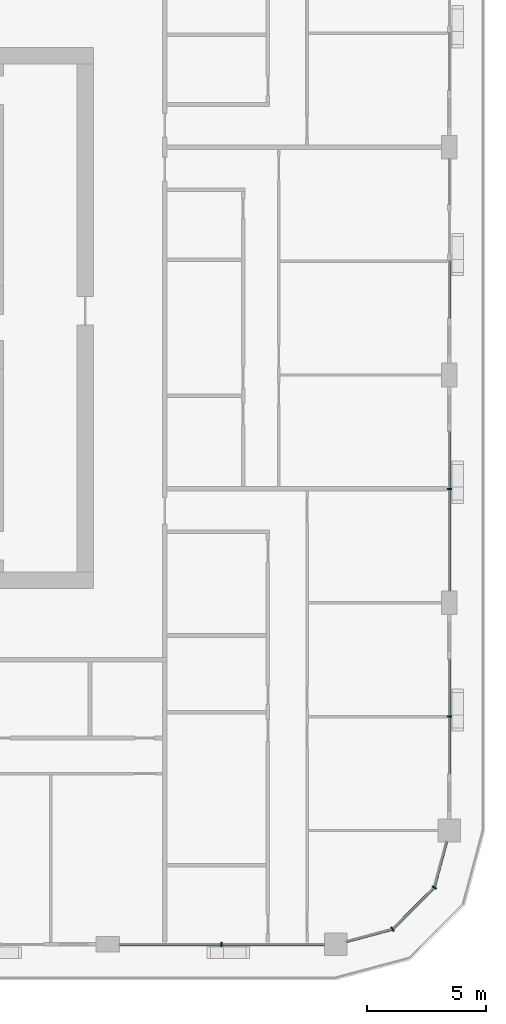
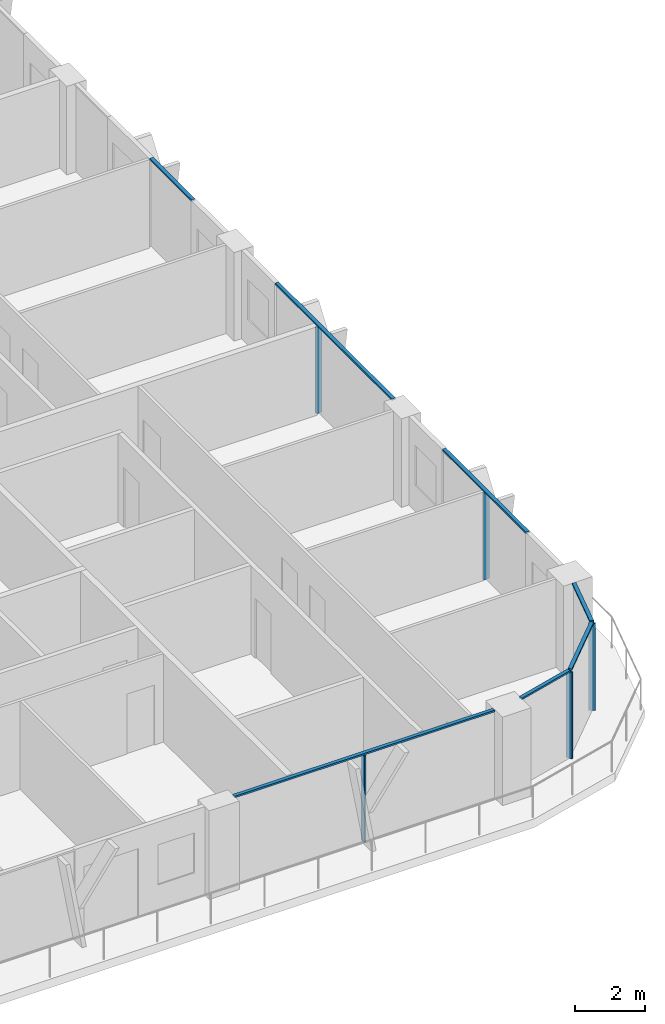
# One storey, part 4 of 22: 12 members, 5 elements without a shape of their own.
"""IFC4 building model written with IfcOpenShell, lengths in metres."""

from ifc_helpers import new_model, si_unit, direction, frame, origin, origin_2d, place, context, subcontext, project, spatial, rectangle, extrude, material, layer, layer_set, material_profile, profile_set, type_object, element, aggregate, save


model = new_model("IFC4")

# Units and contexts
model_context = context("Model", 3, precision=1e-05, world=origin(), true_north=direction((0.0, 1.0)))
body_context = subcontext(model_context, "Body", "Model", "MODEL_VIEW")
ifc_project = project(units=[si_unit("LENGTHUNIT", "METRE"), si_unit("AREAUNIT", "SQUARE_METRE"), si_unit("VOLUMEUNIT", "CUBIC_METRE"), si_unit("PLANEANGLEUNIT", "RADIAN"), si_unit("MASSUNIT", "GRAM", prefix="KILO")], contexts=[model_context])

# Site, building, storey
site_placement = place(None, origin())
site = spatial("IfcSite", under=ifc_project, at=site_placement, CompositionType="ELEMENT")
building_placement = place(site_placement, origin())
building = spatial("IfcBuilding", under=site, at=building_placement, Name="Madar Terraces", CompositionType="ELEMENT")
storey_placement = place(building_placement, frame((0.0, 0.0, 199.89990234375)))
storey = spatial("IfcBuildingStorey", under=building, at=storey_placement, Name="L52", CompositionType="ELEMENT", Elevation=199.89990234375)

# Curtain wall, member
ifc_material_1 = material(Name="Glass, ceramic frit dark grey, with black aluminium frame", Category="aluminium")
ifc_layer = layer(ifc_material_1, 0.199951171875)
ifc_layer_set = layer_set([ifc_layer], Name="Facade curtain wall, fritted glass")
curtain_wall_type = type_object("IfcCurtainWallType", Name="Facade curtain wall, fritted glass", PredefinedType="NOTDEFINED", material=ifc_layer_set)
curtain_wall_1_placement = place(storey_placement, origin())
curtain_wall_1 = element("IfcCurtainWall", 1, at=curtain_wall_1_placement, inside=storey, type_object=curtain_wall_type, Name="Outer skin curtain wall south bay 5", PredefinedType="NOTDEFINED")
ifc_material_2 = material(Name="Aluminium, black anodised", Category="aluminium")
ifc_material_profile_1 = material_profile(ifc_material_2, rectangle(XDim=0.199951171875, YDim=0.06005859375, at=origin_2d()), Name="Facade mullion 60x200")
ifc_profile_set_1 = profile_set([ifc_material_profile_1], Name="Aluminium, black anodised")
member_type_1 = type_object("IfcMemberType", Name="Facade mullion 60x200", PredefinedType="MULLION", material=ifc_profile_set_1)
member_1_placement = place(storey_placement, frame((52.800048828125, 0.0, 0.0), z_axis=(0.0, 0.0, 1.0), x_axis=(0.0, 1.0, 0.0)))
member_1 = element("IfcMember", 2, at=member_1_placement, type_object=member_type_1, Name="Mullion 1", PredefinedType="MULLION", context=body_context, shape_type="SweptSolid", body=[
    extrude(rectangle(XDim=0.199951171875, YDim=0.06005859375, at=origin_2d()), origin(), (0.0, 0.0, 1.0), 3.0400390625),
])

curtain_wall_2_placement = place(storey_placement, origin())
curtain_wall_2 = element("IfcCurtainWall", 3, at=curtain_wall_2_placement, inside=storey, type_object=curtain_wall_type, Name="Outer skin curtain wall east bay 1", PredefinedType="NOTDEFINED")
member_2_placement = place(storey_placement, frame((62.39990234375, 9.60009765625, 0.0), z_axis=(0.0, 0.0, 1.0), x_axis=(-1.0, 0.0, 0.0)))
member_2 = element("IfcMember", 4, at=member_2_placement, type_object=member_type_1, Name="Mullion 1", PredefinedType="MULLION", context=body_context, shape_type="SweptSolid", body=[
    extrude(rectangle(XDim=0.199951171875, YDim=0.06005859375, at=origin_2d()), origin(), (0.0, 0.0, 1.0), 3.0400390625),
])

curtain_wall_3_placement = place(storey_placement, origin())
curtain_wall_3 = element("IfcCurtainWall", 5, at=curtain_wall_3_placement, inside=storey, type_object=curtain_wall_type, Name="Outer skin curtain wall east bay 2", PredefinedType="NOTDEFINED")
member_3_placement = place(storey_placement, frame((62.39990234375, 19.199951171875, 0.0), z_axis=(0.0, 0.0, 1.0), x_axis=(-1.0, 0.0, 0.0)))
member_3 = element("IfcMember", 6, at=member_3_placement, type_object=member_type_1, Name="Mullion 1", PredefinedType="MULLION", context=body_context, shape_type="SweptSolid", body=[
    extrude(rectangle(XDim=0.199951171875, YDim=0.06005859375, at=origin_2d()), origin(), (0.0, 0.0, 1.0), 3.0400390625),
])

# Curtain wall, members
curtain_wall_4_placement = place(storey_placement, origin())
curtain_wall_4 = element("IfcCurtainWall", 7, at=curtain_wall_4_placement, inside=storey, type_object=curtain_wall_type, Name="Outer skin curtain wall south-east corner", PredefinedType="NOTDEFINED")
member_4_placement = place(storey_placement, frame((60.0, 0.64306640625, 0.0), z_axis=(0.0, 0.0, 1.0), x_axis=(-0.499999989586, 0.866025409797, 0.0)))
member_4 = element("IfcMember", 8, at=member_4_placement, type_object=member_type_1, Name="Mullion 1", PredefinedType="MULLION", context=body_context, shape_type="SweptSolid", body=[
    extrude(rectangle(XDim=0.199951171875, YDim=0.06005859375, at=origin_2d()), origin(), (0.0, 0.0, 1.0), 3.0400390625),
])
member_5_placement = place(storey_placement, frame((61.7568359375, 2.39990234375, 0.0), z_axis=(0.0, 0.0, 1.0), x_axis=(-0.866025409797, 0.499999989586, 0.0)))
member_5 = element("IfcMember", 9, at=member_5_placement, type_object=member_type_1, Name="Mullion 2", PredefinedType="MULLION", context=body_context, shape_type="SweptSolid", body=[
    extrude(rectangle(XDim=0.199951171875, YDim=0.06005859375, at=origin_2d()), origin(), (0.0, 0.0, 1.0), 3.0400390625),
])

# Member
ifc_material_3 = material(Name="Aluminium, black anodised", Category="aluminium")
ifc_material_profile_2 = material_profile(ifc_material_3, rectangle(XDim=0.1201171875, YDim=0.06005859375, at=origin_2d()), Name="Facade transom 60x120")
ifc_profile_set_2 = profile_set([ifc_material_profile_2], Name="Aluminium, black anodised")
member_type_2 = type_object("IfcMemberType", Name="Facade transom 60x120", PredefinedType="USERDEFINED", material=ifc_profile_set_2)
member_6_placement = place(storey_placement, frame((48.5, 0.0, 3.070068359375), z_axis=(1.0, 0.0, 0.0), x_axis=(0.0, 1.0, 0.0)))
member_6 = element("IfcMember", 10, at=member_6_placement, type_object=member_type_2, Name="Transom 1", ObjectType="TRANSOM", PredefinedType="USERDEFINED", context=body_context, shape_type="SweptSolid", body=[
    extrude(rectangle(XDim=0.1201171875, YDim=0.06005859375, at=origin_2d()), origin(), (0.0, 0.0, 1.0), 8.625),
])

aggregate(curtain_wall_1, [member_1, member_6])

member_7_placement = place(storey_placement, frame((62.39990234375, 7.199951171875, 3.070068359375), z_axis=(0.0, 1.0, 0.0), x_axis=(-1.0, 0.0, 0.0)))
member_7 = element("IfcMember", 11, at=member_7_placement, type_object=member_type_2, Name="Transom 1", ObjectType="TRANSOM", PredefinedType="USERDEFINED", context=body_context, shape_type="SweptSolid", body=[
    extrude(rectangle(XDim=0.1201171875, YDim=0.06005859375, at=origin_2d()), origin(), (0.0, 0.0, 1.0), 4.800048828125),
])

aggregate(curtain_wall_2, [member_2, member_7])

member_8_placement = place(storey_placement, frame((62.39990234375, 14.89990234375, 3.070068359375), z_axis=(0.0, 1.0, 0.0), x_axis=(-1.0, 0.0, 0.0)))
member_8 = element("IfcMember", 12, at=member_8_placement, type_object=member_type_2, Name="Transom 1", ObjectType="TRANSOM", PredefinedType="USERDEFINED", context=body_context, shape_type="SweptSolid", body=[
    extrude(rectangle(XDim=0.1201171875, YDim=0.06005859375, at=origin_2d()), origin(), (0.0, 0.0, 1.0), 6.7001953125),
])

aggregate(curtain_wall_3, [member_3, member_8])

# Curtain wall, member
curtain_wall_5_placement = place(storey_placement, origin())
curtain_wall_5 = element("IfcCurtainWall", 13, at=curtain_wall_5_placement, inside=storey, type_object=curtain_wall_type, Name="Outer skin curtain wall east bay 3", PredefinedType="NOTDEFINED")
member_9_placement = place(storey_placement, frame((62.39990234375, 26.39990234375, 3.070068359375), z_axis=(0.0, 1.0, 0.0), x_axis=(-1.0, 0.0, 0.0)))
member_9 = element("IfcMember", 14, at=member_9_placement, type_object=member_type_2, Name="Transom 1", ObjectType="TRANSOM", PredefinedType="USERDEFINED", context=body_context, shape_type="SweptSolid", body=[
    extrude(rectangle(XDim=0.1201171875, YDim=0.06005859375, at=origin_2d()), origin(), (0.0, 0.0, 1.0), 2.400146484375),
])
aggregate(curtain_wall_5, [member_9])

# Member
member_10_placement = place(storey_placement, frame((58.074951171875, 0.127197265625, 3.070068359375), z_axis=(0.96592251241, 0.258831412352, 0.0), x_axis=(-0.258831412352, 0.96592251241, 0.0)))
member_10 = element("IfcMember", 15, at=member_10_placement, type_object=member_type_2, Name="Transom 1", ObjectType="TRANSOM", PredefinedType="USERDEFINED", context=body_context, shape_type="SweptSolid", body=[
    extrude(rectangle(XDim=0.1201171875, YDim=0.06005859375, at=origin_2d()), origin(), (0.0, 0.0, 1.0), 1.962890625),
])

member_11_placement = place(storey_placement, frame((60.021240234375, 0.664306640625, 3.070068359375), z_axis=(0.707056433593, 0.707157125196, 0.0), x_axis=(-0.707157125196, 0.707056433593, 0.0)))
member_11 = element("IfcMember", 16, at=member_11_placement, type_object=member_type_2, Name="Transom 2", ObjectType="TRANSOM", PredefinedType="USERDEFINED", context=body_context, shape_type="SweptSolid", body=[
    extrude(rectangle(XDim=0.1201171875, YDim=0.06005859375, at=origin_2d()), origin(), (0.0, 0.0, 1.0), 2.424560546875),
])

member_12_placement = place(storey_placement, frame((61.7646484375, 2.428955078125, 3.070068359375), z_axis=(0.258831412352, 0.96592251241, 0.0), x_axis=(-0.96592251241, 0.258831412352, 0.0)))
member_12 = element("IfcMember", 17, at=member_12_placement, type_object=member_type_2, Name="Transom 3", ObjectType="TRANSOM", PredefinedType="USERDEFINED", context=body_context, shape_type="SweptSolid", body=[
    extrude(rectangle(XDim=0.1201171875, YDim=0.06005859375, at=origin_2d()), origin(), (0.0, 0.0, 1.0), 1.962890625),
])

aggregate(curtain_wall_4, [member_4, member_10, member_5, member_11, member_12])

save(model, "model.ifc")
